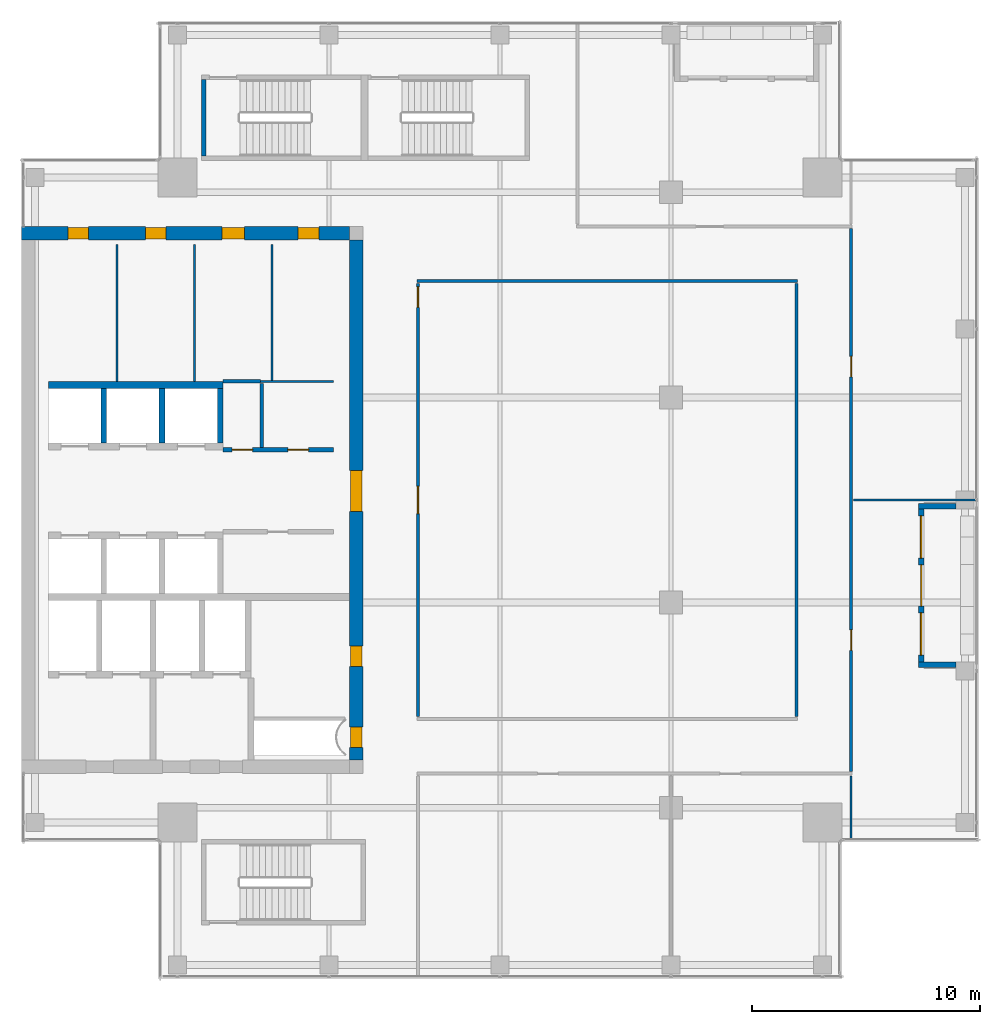
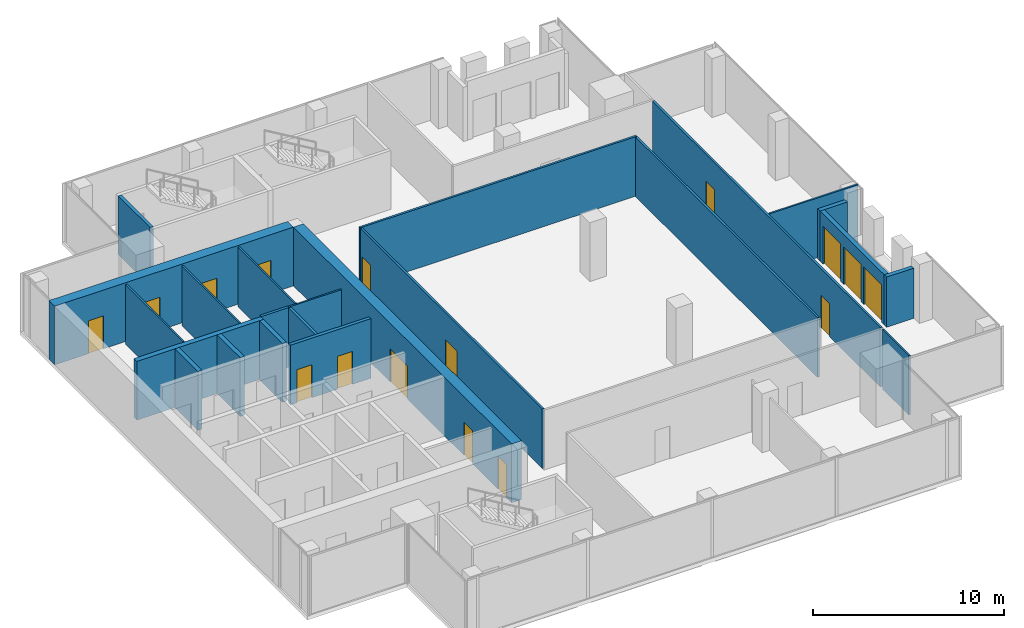
# One storey, part 26 of 29: 23 walls, 14 doors, 2 windows, 16 openings.
"""IFC4 building model written with IfcOpenShell, lengths in metres."""

from ifc_helpers import new_model, si_unit, direction, frame, frame_2d, origin, place, context, subcontext, project, spatial, rectangle, extrude, source, transform, mapped, material, layer, layer_set, type_object, element, fill, save


model = new_model("IFC4")

# Units and contexts
model_context = context("Model", 3, precision=1e-05, world=origin(), true_north=direction((0.0, 1.0)))
body_context = subcontext(model_context, "Body", "Model", "MODEL_VIEW")
ifc_project = project(units=[si_unit("LENGTHUNIT", "METRE"), si_unit("AREAUNIT", "SQUARE_METRE"), si_unit("VOLUMEUNIT", "CUBIC_METRE"), si_unit("PLANEANGLEUNIT", "RADIAN"), si_unit("MASSUNIT", "GRAM", prefix="KILO")], contexts=[model_context])

# Site, building, storey
site_placement = place(None, origin())
site = spatial("IfcSite", under=ifc_project, at=site_placement, CompositionType="ELEMENT")
building_placement = place(site_placement, origin())
building = spatial("IfcBuilding", under=site, at=building_placement, Name="Khomas Fold Tower", CompositionType="ELEMENT")
storey_placement = place(building_placement, frame((0.0, 0.0, 322.199951171875)))
storey = spatial("IfcBuildingStorey", under=building, at=storey_placement, Name="L73", CompositionType="ELEMENT", Elevation=322.199951171875)

# Walls
ifc_material_1 = material(Name="Concrete C50/60", Category="concrete")
ifc_layer_1 = layer(ifc_material_1, 0.199951171875)
ifc_layer_set_1 = layer_set([ifc_layer_1], Name="Concrete C50/60")
wall_type_1 = type_object("IfcWallType", Name="Stair wall 200", PredefinedType="SHEAR", material=ifc_layer_set_1)
shared_shape_1 = source(origin(), body_context, "Body", "SweptSolid", [
    extrude(rectangle(XDim=3.349853515625, YDim=0.199951171875, at=frame_2d((1.6748046875, 0.0))), origin(), (0.0, 0.0, 1.0), 3.75),
])
wall_1_placement = place(storey_placement, frame((14.0, 42.10009765625, 0.0), z_axis=(0.0, 0.0, 1.0), x_axis=(0.0, 1.0, 0.0)))
element("IfcWall", 1, at=wall_1_placement, inside=storey, type_object=wall_type_1, Name="Stair wall SW-ST1-W", PredefinedType="SHEAR", context=body_context, shape_type="MappedRepresentation", body=[
    mapped(shared_shape_1, transform((0.0, 0.0, 0.0))),
])
ifc_material_2 = material(Name="Concrete C50/60", Category="concrete")
ifc_layer_2 = layer(ifc_material_2, 0.25)
ifc_layer_set_2 = layer_set([ifc_layer_2], Name="Concrete C50/60")
wall_type_2 = type_object("IfcWallType", Name="Shaft wall 250", PredefinedType="STANDARD", material=ifc_layer_set_2)
shared_shape_2 = source(origin(), body_context, "Body", "SweptSolid", [
    extrude(rectangle(XDim=2.39990234375, YDim=0.25, at=frame_2d((1.199951171875, 0.0))), origin(), (0.0, 0.0, 1.0), 3.75),
])
for number, where, z_axis, x_axis, name in (
    (2, (9.625, 29.5, 0.0), (0.0, 0.0, 1.0), (0.0, 1.0, 0.0), "Core wall SW-HRN-P1"),
    (3, (12.175048828125, 29.5, 0.0), (0.0, 0.0, 1.0), (0.0, 1.0, 0.0), "Core wall SW-HRN-P2"),
    (4, (14.72509765625, 29.5, 0.0), (0.0, 0.0, 1.0), (0.0, 1.0, 0.0), "Core wall SW-HRN-PE"),
):
    element("IfcWall", number, at=place(storey_placement, frame(where, z_axis=z_axis, x_axis=x_axis)), inside=storey, type_object=wall_type_2, Name=name, PredefinedType="STANDARD", context=body_context, shape_type="MappedRepresentation", body=[
        mapped(shared_shape_2, transform((0.0, 0.0, 0.0))),
    ])

# Wall, openings, doors
ifc_material_3 = material(Name="Concrete C50/60", Category="concrete")
ifc_layer_3 = layer(ifc_material_3, 0.60009765625)
ifc_layer_set_3 = layer_set([ifc_layer_3], Name="Concrete C50/60")
wall_type_3 = type_object("IfcWallType", Name="Core wall 600", PredefinedType="SHEAR", material=ifc_layer_set_3)
shared_shape_3 = source(origin(), body_context, "Body", "SweptSolid", [
    extrude(rectangle(XDim=14.39990234375, YDim=0.60009765625, at=frame_2d((7.199951171875, 0.0))), origin(), (0.0, 0.0, 1.0), 3.75),
])
wall_2_placement = place(storey_placement, frame((6.0, 38.699951171875, 0.0), z_axis=(0.0, 0.0, 1.0), x_axis=(1.0, 0.0, 0.0)))
wall_2 = element("IfcWall", 5, at=wall_2_placement, inside=storey, type_object=wall_type_3, Name="Core wall CW-U-N-L63", PredefinedType="SHEAR", context=body_context, shape_type="MappedRepresentation", body=[
    mapped(shared_shape_3, transform((0.0, 0.0, 0.0))),
])
shared_shape_4 = source(origin(), body_context, "Body", "SweptSolid", [
    extrude(rectangle(XDim=0.89990234375, YDim=2.10009765625, at=frame_2d((0.449951171875, 1.050048828125))), frame((0.0, 0.31005859375, 0.0), z_axis=(0.0, -1.0, 0.0), x_axis=(1.0, 0.0, 0.0)), (0.0, 0.0, 1.0), 0.6201171875),
])
opening_1_placement = place(wall_2_placement, frame((2.050048828125, 0.0, 0.0)))
opening_1 = element("IfcOpeningElement", 6, at=opening_1_placement, cuts=wall_2, Name="Opening 0004", PredefinedType="OPENING", context=body_context, shape_type="MappedRepresentation", body=[
    mapped(shared_shape_4, transform((0.0, 0.0, 0.0))),
])
opening_2_placement = place(wall_2_placement, frame((5.449951171875, 0.0, 0.0)))
opening_2 = element("IfcOpeningElement", 7, at=opening_2_placement, cuts=wall_2, Name="Opening 0004", PredefinedType="OPENING", context=body_context, shape_type="MappedRepresentation", body=[
    mapped(shared_shape_4, transform((0.0, 0.0, 0.0))),
])
shared_shape_5 = source(origin(), body_context, "Body", "SweptSolid", [
    extrude(rectangle(XDim=1.0, YDim=2.10009765625, at=frame_2d((0.5, 1.050048828125))), frame((0.0, 0.31005859375, 0.0), z_axis=(0.0, -1.0, 0.0), x_axis=(1.0, 0.0, 0.0)), (0.0, 0.0, 1.0), 0.6201171875),
])
opening_3_placement = place(wall_2_placement, frame((8.800048828125, 0.0, 0.0)))
opening_3 = element("IfcOpeningElement", 8, at=opening_3_placement, cuts=wall_2, Name="Opening 0006", PredefinedType="OPENING", context=body_context, shape_type="MappedRepresentation", body=[
    mapped(shared_shape_5, transform((0.0, 0.0, 0.0))),
])
opening_4_placement = place(wall_2_placement, frame((12.14990234375, 0.0, 0.0)))
opening_4 = element("IfcOpeningElement", 9, at=opening_4_placement, cuts=wall_2, Name="Opening 0008", PredefinedType="OPENING", context=body_context, shape_type="MappedRepresentation", body=[
    mapped(shared_shape_4, transform((0.0, 0.0, 0.0))),
])
ifc_material_4 = material(Name="Timber door leaf", Category="wood")
door_type_1 = type_object("IfcDoorType", Name="WC door 900x2100 right-hand", OperationType="SINGLE_SWING_RIGHT", PredefinedType="DOOR", material=ifc_material_4)
shared_shape_6 = source(origin(), body_context, "Body", "SweptSolid", [
    extrude(rectangle(XDim=0.89990234375, YDim=2.10009765625, at=frame_2d((0.449951171875, 1.050048828125))), frame((0.0, 0.25, 0.0), z_axis=(0.0, -1.0, 0.0), x_axis=(1.0, 0.0, 0.0)), (0.0, 0.0, 1.0), 0.5),
])
door_1_placement = place(opening_1_placement, origin())
door_1 = element("IfcDoor", 10, at=door_1_placement, inside=storey, type_object=door_type_1, Name="WC door", OperationType="SINGLE_SWING_RIGHT", OverallHeight=2.10009765625, OverallWidth=0.89990234375, PredefinedType="DOOR", context=body_context, shape_type="MappedRepresentation", body=[
    mapped(shared_shape_6, transform((0.0, 0.0, 0.0))),
])
fill(opening_1, door_1)
door_2_placement = place(opening_2_placement, origin())
door_2 = element("IfcDoor", 11, at=door_2_placement, inside=storey, type_object=door_type_1, Name="WC door", OperationType="SINGLE_SWING_RIGHT", OverallHeight=2.10009765625, OverallWidth=0.89990234375, PredefinedType="DOOR", context=body_context, shape_type="MappedRepresentation", body=[
    mapped(shared_shape_6, transform((0.0, 0.0, 0.0))),
])
fill(opening_2, door_2)
ifc_material_5 = material(Name="Timber door leaf", Category="wood")
door_type_2 = type_object("IfcDoorType", Name="Door 900x2100 right-hand", OperationType="SINGLE_SWING_RIGHT", PredefinedType="DOOR", material=ifc_material_5)
door_3_placement = place(opening_4_placement, origin())
door_3 = element("IfcDoor", 12, at=door_3_placement, inside=storey, type_object=door_type_2, Name="Door", OperationType="SINGLE_SWING_RIGHT", OverallHeight=2.10009765625, OverallWidth=0.89990234375, PredefinedType="DOOR", context=body_context, shape_type="MappedRepresentation", body=[
    mapped(shared_shape_6, transform((0.0, 0.0, 0.0))),
])
fill(opening_4, door_3)
ifc_material_6 = material(Name="Timber door leaf", Category="wood")
door_type_3 = type_object("IfcDoorType", Name="WC door 1000x2100 right-hand", OperationType="SINGLE_SWING_RIGHT", PredefinedType="DOOR", material=ifc_material_6)
shared_shape_7 = source(origin(), body_context, "Body", "SweptSolid", [
    extrude(rectangle(XDim=1.0, YDim=2.10009765625, at=frame_2d((0.5, 1.050048828125))), frame((0.0, 0.25, 0.0), z_axis=(0.0, -1.0, 0.0), x_axis=(1.0, 0.0, 0.0)), (0.0, 0.0, 1.0), 0.5),
])
door_4_placement = place(opening_3_placement, origin())
door_4 = element("IfcDoor", 13, at=door_4_placement, inside=storey, type_object=door_type_3, Name="WC door", OperationType="SINGLE_SWING_RIGHT", OverallHeight=2.10009765625, OverallWidth=1.0, PredefinedType="DOOR", context=body_context, shape_type="MappedRepresentation", body=[
    mapped(shared_shape_7, transform((0.0, 0.0, 0.0))),
])
fill(opening_3, door_4)

shared_shape_8 = source(origin(), body_context, "Body", "SweptSolid", [
    extrude(rectangle(XDim=22.7998046875, YDim=0.60009765625, at=frame_2d((11.39990234375, 0.0))), origin(), (0.0, 0.0, 1.0), 3.75),
])
wall_3_placement = place(storey_placement, frame((20.699951171875, 15.60009765625, 0.0), z_axis=(0.0, 0.0, 1.0), x_axis=(0.0, 1.0, 0.0)))
wall_3 = element("IfcWall", 14, at=wall_3_placement, inside=storey, type_object=wall_type_3, Name="Core wall CW-U-E-L63", PredefinedType="SHEAR", context=body_context, shape_type="MappedRepresentation", body=[
    mapped(shared_shape_8, transform((0.0, 0.0, 0.0))),
])
shared_shape_9 = source(origin(), body_context, "Body", "SweptSolid", [
    extrude(rectangle(XDim=1.800048828125, YDim=2.10009765625, at=frame_2d((0.89990234375, 1.050048828125))), frame((0.0, 0.31005859375, 0.0), z_axis=(0.0, -1.0, 0.0), x_axis=(1.0, 0.0, 0.0)), (0.0, 0.0, 1.0), 0.6201171875),
])
opening_5_placement = place(wall_3_placement, frame((10.89990234375, 0.0, 0.0)))
opening_5 = element("IfcOpeningElement", 15, at=opening_5_placement, cuts=wall_3, Name="Opening 0015", PredefinedType="OPENING", context=body_context, shape_type="MappedRepresentation", body=[
    mapped(shared_shape_9, transform((0.0, 0.0, 0.0))),
])
opening_6_placement = place(wall_3_placement, frame((0.550048828125, 0.0, 0.0)))
opening_6 = element("IfcOpeningElement", 16, at=opening_6_placement, cuts=wall_3, Name="Opening 0003", PredefinedType="OPENING", context=body_context, shape_type="MappedRepresentation", body=[
    mapped(shared_shape_4, transform((0.0, 0.0, 0.0))),
])
opening_7_placement = place(wall_3_placement, frame((4.10009765625, 0.0, 0.0)))
opening_7 = element("IfcOpeningElement", 17, at=opening_7_placement, cuts=wall_3, Name="Opening 0008", PredefinedType="OPENING", context=body_context, shape_type="MappedRepresentation", body=[
    mapped(shared_shape_4, transform((0.0, 0.0, 0.0))),
])
ifc_material_7 = material(Name="Steel door leaf", Category="steel")
door_type_4 = type_object("IfcDoorType", Name="Lobby door 1800x2100", OperationType="DOUBLE_DOOR_SINGLE_SWING", PredefinedType="DOOR", material=ifc_material_7)
shared_shape_10 = source(origin(), body_context, "Body", "SweptSolid", [
    extrude(rectangle(XDim=1.800048828125, YDim=2.10009765625, at=frame_2d((0.89990234375, 1.050048828125))), frame((0.0, 0.25, 0.0), z_axis=(0.0, -1.0, 0.0), x_axis=(1.0, 0.0, 0.0)), (0.0, 0.0, 1.0), 0.5),
])
door_5_placement = place(opening_5_placement, origin())
door_5 = element("IfcDoor", 18, at=door_5_placement, inside=storey, type_object=door_type_4, Name="Lobby door", OperationType="DOUBLE_DOOR_SINGLE_SWING", OverallHeight=2.10009765625, OverallWidth=1.800048828125, PredefinedType="DOOR", context=body_context, shape_type="MappedRepresentation", body=[
    mapped(shared_shape_10, transform((0.0, 0.0, 0.0))),
])
fill(opening_5, door_5)
ifc_material_8 = material(Name="Steel door leaf", Category="steel")
door_type_5 = type_object("IfcDoorType", Name="Plant room door 900x2100 right-hand", OperationType="SINGLE_SWING_RIGHT", PredefinedType="DOOR", material=ifc_material_8)
door_6_placement = place(opening_6_placement, origin())
door_6 = element("IfcDoor", 19, at=door_6_placement, inside=storey, type_object=door_type_5, Name="Plant room door", OperationType="SINGLE_SWING_RIGHT", OverallHeight=2.10009765625, OverallWidth=0.89990234375, PredefinedType="DOOR", context=body_context, shape_type="MappedRepresentation", body=[
    mapped(shared_shape_6, transform((0.0, 0.0, 0.0))),
])
fill(opening_6, door_6)
door_7_placement = place(opening_7_placement, origin())
door_7 = element("IfcDoor", 20, at=door_7_placement, inside=storey, type_object=door_type_2, Name="Door", OperationType="SINGLE_SWING_RIGHT", OverallHeight=2.10009765625, OverallWidth=0.89990234375, PredefinedType="DOOR", context=body_context, shape_type="MappedRepresentation", body=[
    mapped(shared_shape_6, transform((0.0, 0.0, 0.0))),
])
fill(opening_7, door_7)

# Wall
ifc_material_9 = material(Name="Concrete C50/60", Category="concrete")
ifc_layer_4 = layer(ifc_material_9, 0.300048828125)
ifc_layer_set_4 = layer_set([ifc_layer_4], Name="Concrete C50/60")
wall_type_4 = type_object("IfcWallType", Name="Shaft wall 300", PredefinedType="STANDARD", material=ifc_layer_set_4)
shared_shape_11 = source(origin(), body_context, "Body", "SweptSolid", [
    extrude(rectangle(XDim=7.650146484375, YDim=0.300048828125, at=frame_2d((3.8251953125, 0.0))), origin(), (0.0, 0.0, 1.0), 3.75),
])
wall_4_placement = place(storey_placement, frame((7.199951171875, 32.050048828125, 0.0), z_axis=(0.0, 0.0, 1.0), x_axis=(1.0, 0.0, 0.0)))
element("IfcWall", 21, at=wall_4_placement, inside=storey, type_object=wall_type_4, Name="Core wall SW-HRN-B", PredefinedType="STANDARD", context=body_context, shape_type="MappedRepresentation", body=[
    mapped(shared_shape_11, transform((0.0, 0.0, 0.0))),
])

# Wall, openings, door, windows
ifc_material_10 = material(Name="Natural stone", Category="masonry")
ifc_layer_5 = layer(ifc_material_10, 0.0400390625)
ifc_material_11 = material(Name="Mineral wool insulation", Category="insulation")
ifc_layer_6 = layer(ifc_material_11, 0.10009765625)
ifc_material_12 = material(Name="Masonry", Category="masonry")
ifc_layer_7 = layer(ifc_material_12, 0.110107421875)
ifc_layer_set_5 = layer_set([ifc_layer_5, ifc_layer_6, ifc_layer_7], Name="Stone-faced insulated masonry")
wall_type_5 = type_object("IfcWallType", Name="BL-Balcony wall", PredefinedType="SOLIDWALL", material=ifc_layer_set_5)
shared_shape_12 = source(origin(), body_context, "Body", "SweptSolid", [
    extrude(rectangle(XDim=6.7001953125, YDim=0.25, at=frame_2d((3.35009765625, 0.0))), origin(), (0.0, 0.0, 1.0), 3.199951171875),
])
wall_5_placement = place(storey_placement, frame((45.47509765625, 19.89990234375, 0.0), z_axis=(0.0, 0.0, 1.0), x_axis=(0.0, 1.0, 0.0)))
wall_5 = element("IfcWall", 22, at=wall_5_placement, inside=storey, type_object=wall_type_5, Name="Balcony wall BAL-L73-E2", PredefinedType="SOLIDWALL", context=body_context, shape_type="MappedRepresentation", body=[
    mapped(shared_shape_12, transform((0.0, 0.0, 0.0))),
])
shared_shape_13 = source(origin(), body_context, "Body", "SweptSolid", [
    extrude(rectangle(XDim=1.85009765625, YDim=2.39990234375, at=frame_2d((0.925048828125, 1.199951171875))), frame((0.0, 0.135009765625, 0.0), z_axis=(0.0, -1.0, 0.0), x_axis=(1.0, 0.0, 0.0)), (0.0, 0.0, 1.0), 0.27001953125),
])
opening_8_placement = place(wall_5_placement, frame((0.300048828125, 0.0, 0.0)))
opening_8 = element("IfcOpeningElement", 23, at=opening_8_placement, cuts=wall_5, Name="Opening BL-W7", PredefinedType="OPENING", context=body_context, shape_type="MappedRepresentation", body=[
    mapped(shared_shape_13, transform((0.0, 0.0, 0.0))),
])
opening_9_placement = place(wall_5_placement, frame((4.550048828125, 0.0, 0.0)))
opening_9 = element("IfcOpeningElement", 24, at=opening_9_placement, cuts=wall_5, Name="Opening BL-W7", PredefinedType="OPENING", context=body_context, shape_type="MappedRepresentation", body=[
    mapped(shared_shape_13, transform((0.0, 0.0, 0.0))),
])
shared_shape_14 = source(origin(), body_context, "Body", "SweptSolid", [
    extrude(rectangle(XDim=1.800048828125, YDim=2.39990234375, at=frame_2d((0.89990234375, 1.199951171875))), frame((0.0, 0.135009765625, 0.0), z_axis=(0.0, -1.0, 0.0), x_axis=(1.0, 0.0, 0.0)), (0.0, 0.0, 1.0), 0.27001953125),
])
opening_10_placement = place(wall_5_placement, frame((2.449951171875, 0.0, 0.0)))
opening_10 = element("IfcOpeningElement", 25, at=opening_10_placement, cuts=wall_5, Name="Opening BD731", PredefinedType="OPENING", context=body_context, shape_type="MappedRepresentation", body=[
    mapped(shared_shape_14, transform((0.0, 0.0, 0.0))),
])
ifc_material_13 = material(Name="Aluminium framed double glazing", Category="aluminium")
door_type_6 = type_object("IfcDoorType", Name="BL-Glazed balcony door 1800 x 2400", OperationType="DOUBLE_DOOR_DOUBLE_SWING", PredefinedType="DOOR", material=ifc_material_13)
shared_shape_15 = source(origin(), body_context, "Body", "SweptSolid", [
    extrude(rectangle(XDim=1.800048828125, YDim=2.39990234375, at=frame_2d((0.89990234375, 1.199951171875))), frame((0.0, 0.02490234375, 0.0), z_axis=(0.0, -1.0, 0.0), x_axis=(1.0, 0.0, 0.0)), (0.0, 0.0, 1.0), 0.050048828125),
])
door_8_placement = place(opening_10_placement, origin())
door_8 = element("IfcDoor", 26, at=door_8_placement, inside=storey, type_object=door_type_6, Name="Balcony door BD731", OperationType="DOUBLE_DOOR_DOUBLE_SWING", OverallHeight=2.39990234375, OverallWidth=1.800048828125, PredefinedType="DOOR", context=body_context, shape_type="MappedRepresentation", body=[
    mapped(shared_shape_15, transform((0.0, 0.0, 0.0))),
])
fill(opening_10, door_8)
ifc_material_14 = material(Name="Aluminium framed double glazing", Category="aluminium")
window_type = type_object("IfcWindowType", Name="BL-Fixed glazing 1850 x 2400", PartitioningType="SINGLE_PANEL", PredefinedType="WINDOW", material=ifc_material_14)
shared_shape_16 = source(origin(), body_context, "Body", "SweptSolid", [
    extrude(rectangle(XDim=1.85009765625, YDim=2.39990234375, at=frame_2d((0.925048828125, 1.199951171875))), frame((0.0, 0.030029296875, 0.0), z_axis=(0.0, -1.0, 0.0), x_axis=(1.0, 0.0, 0.0)), (0.0, 0.0, 1.0), 0.06005859375),
])
window_1_placement = place(opening_8_placement, origin())
window_1 = element("IfcWindow", 27, at=window_1_placement, inside=storey, type_object=window_type, Name="Balcony glazing BAL-L73-E2-1", OverallHeight=2.39990234375, OverallWidth=1.85009765625, PartitioningType="SINGLE_PANEL", PredefinedType="WINDOW", context=body_context, shape_type="MappedRepresentation", body=[
    mapped(shared_shape_16, transform((0.0, 0.0, 0.0))),
])
fill(opening_8, window_1)
window_2_placement = place(opening_9_placement, origin())
window_2 = element("IfcWindow", 28, at=window_2_placement, inside=storey, type_object=window_type, Name="Balcony glazing BAL-L73-E2-2", OverallHeight=2.39990234375, OverallWidth=1.85009765625, PartitioningType="SINGLE_PANEL", PredefinedType="WINDOW", context=body_context, shape_type="MappedRepresentation", body=[
    mapped(shared_shape_16, transform((0.0, 0.0, 0.0))),
])
fill(opening_9, window_2)

# Walls
shared_shape_17 = source(origin(), body_context, "Body", "SweptSolid", [
    extrude(rectangle(XDim=1.64990234375, YDim=0.25, at=frame_2d((0.824951171875, 0.0))), origin(), (0.0, 0.0, 1.0), 3.199951171875),
])
for number, where, z_axis, x_axis, name in (
    (29, (47.0, 19.77490234375, 0.0), (0.0, 0.0, 1.0), (-1.0, 0.0, 0.0), "Balcony return wall BAL-L73-E2-lo"),
    (30, (47.0, 26.72509765625, 0.0), (0.0, 0.0, 1.0), (-1.0, 0.0, 0.0), "Balcony return wall BAL-L73-E2-hi"),
):
    element("IfcWall", number, at=place(storey_placement, frame(where, z_axis=z_axis, x_axis=x_axis)), inside=storey, type_object=wall_type_5, Name=name, PredefinedType="SOLIDWALL", context=body_context, shape_type="MappedRepresentation", body=[
        mapped(shared_shape_17, transform((0.0, 0.0, 0.0))),
    ])
ifc_material_15 = material(Name="Plasterboard partition")
ifc_layer_8 = layer(ifc_material_15, 0.10009765625)
ifc_layer_set_6 = layer_set([ifc_layer_8], Name="Plasterboard partition")
wall_type_6 = type_object("IfcWallType", Name="Partition PW1 100", PredefinedType="PARTITIONING", material=ifc_layer_set_6)
shared_shape_18 = source(origin(), body_context, "Body", "SweptSolid", [
    extrude(rectangle(XDim=6.0, YDim=0.10009765625, at=frame_2d((3.0, 0.0))), origin(), (0.0, 0.0, 1.0), 3.800048828125),
])
for number, where, z_axis, x_axis, name in (
    (31, (10.199951171875, 32.199951171875, 0.0), (0.0, 0.0, 1.0), (0.0, 1.0, 0.0), "Partition"),
    (32, (13.60009765625, 32.199951171875, 0.0), (0.0, 0.0, 1.0), (0.0, 1.0, 0.0), "Partition"),
):
    element("IfcWall", number, at=place(storey_placement, frame(where, z_axis=z_axis, x_axis=x_axis)), inside=storey, type_object=wall_type_6, Name=name, PredefinedType="PARTITIONING", context=body_context, shape_type="MappedRepresentation", body=[
        mapped(shared_shape_18, transform((0.0, 0.0, 0.0))),
    ])

# Wall, openings, doors
ifc_material_16 = material(Name="Plasterboard partition")
ifc_layer_9 = layer(ifc_material_16, 0.125)
ifc_layer_set_7 = layer_set([ifc_layer_9], Name="Plasterboard partition")
wall_type_7 = type_object("IfcWallType", Name="Partition PW2 125", PredefinedType="PARTITIONING", material=ifc_layer_set_7)
shared_shape_19 = source(origin(), body_context, "Body", "SweptSolid", [
    extrude(rectangle(XDim=19.0, YDim=0.125, at=frame_2d((9.5, 0.0))), origin(), (0.0, 0.0, 1.0), 3.800048828125),
])
wall_6_placement = place(storey_placement, frame((23.39990234375, 17.5, 0.0), z_axis=(0.0, 0.0, 1.0), x_axis=(0.0, 1.0, 0.0)))
wall_6 = element("IfcWall", 33, at=wall_6_placement, inside=storey, type_object=wall_type_7, Name="Partition", PredefinedType="PARTITIONING", context=body_context, shape_type="MappedRepresentation", body=[
    mapped(shared_shape_19, transform((0.0, 0.0, 0.0))),
])
shared_shape_20 = source(origin(), body_context, "Body", "SweptSolid", [
    extrude(rectangle(XDim=1.199951171875, YDim=2.10009765625, at=frame_2d((0.60009765625, 1.050048828125))), frame((0.0, 0.072509765625, 0.0), z_axis=(0.0, -1.0, 0.0), x_axis=(1.0, 0.0, 0.0)), (0.0, 0.0, 1.0), 0.14501953125),
])
opening_11_placement = place(wall_6_placement, frame((8.89990234375, 0.0, 0.0)))
opening_11 = element("IfcOpeningElement", 34, at=opening_11_placement, cuts=wall_6, Name="Opening 0013", PredefinedType="OPENING", context=body_context, shape_type="MappedRepresentation", body=[
    mapped(shared_shape_20, transform((0.0, 0.0, 0.0))),
])
shared_shape_21 = source(origin(), body_context, "Body", "SweptSolid", [
    extrude(rectangle(XDim=0.89990234375, YDim=2.10009765625, at=frame_2d((0.449951171875, 1.050048828125))), frame((0.0, 0.072509765625, 0.0), z_axis=(0.0, -1.0, 0.0), x_axis=(1.0, 0.0, 0.0)), (0.0, 0.0, 1.0), 0.14501953125),
])
opening_12_placement = place(wall_6_placement, frame((17.949951171875, 0.0, 0.0)))
opening_12 = element("IfcOpeningElement", 35, at=opening_12_placement, cuts=wall_6, Name="Opening 0008", PredefinedType="OPENING", context=body_context, shape_type="MappedRepresentation", body=[
    mapped(shared_shape_21, transform((0.0, 0.0, 0.0))),
])
shared_shape_22 = source(origin(), body_context, "Body", "SweptSolid", [
    extrude(rectangle(XDim=0.89990234375, YDim=2.10009765625, at=frame_2d((0.449951171875, 1.050048828125))), frame((0.0, 0.02490234375, 0.0), z_axis=(0.0, -1.0, 0.0), x_axis=(1.0, 0.0, 0.0)), (0.0, 0.0, 1.0), 0.050048828125),
])
door_9_placement = place(opening_12_placement, origin())
door_9 = element("IfcDoor", 36, at=door_9_placement, inside=storey, type_object=door_type_2, Name="Door", OperationType="SINGLE_SWING_RIGHT", OverallHeight=2.10009765625, OverallWidth=0.89990234375, PredefinedType="DOOR", context=body_context, shape_type="MappedRepresentation", body=[
    mapped(shared_shape_22, transform((0.0, 0.0, 0.0))),
])
fill(opening_12, door_9)
ifc_material_17 = material(Name="Timber door leaf", Category="wood")
door_type_7 = type_object("IfcDoorType", Name="Door 1200x2100 left-hand", OperationType="SINGLE_SWING_LEFT", PredefinedType="DOOR", material=ifc_material_17)
shared_shape_23 = source(origin(), body_context, "Body", "SweptSolid", [
    extrude(rectangle(XDim=1.199951171875, YDim=2.10009765625, at=frame_2d((0.60009765625, 1.050048828125))), frame((0.0, 0.02490234375, 0.0), z_axis=(0.0, -1.0, 0.0), x_axis=(1.0, 0.0, 0.0)), (0.0, 0.0, 1.0), 0.050048828125),
])
door_10_placement = place(opening_11_placement, origin())
door_10 = element("IfcDoor", 37, at=door_10_placement, inside=storey, type_object=door_type_7, Name="Door", OperationType="SINGLE_SWING_LEFT", OverallHeight=2.10009765625, OverallWidth=1.199951171875, PredefinedType="DOOR", context=body_context, shape_type="MappedRepresentation", body=[
    mapped(shared_shape_23, transform((0.0, 0.0, 0.0))),
])
fill(opening_11, door_10)

# Wall
wall_7_placement = place(storey_placement, frame((40.0, 17.5, 0.0), z_axis=(0.0, 0.0, 1.0), x_axis=(0.0, 1.0, 0.0)))
element("IfcWall", 38, at=wall_7_placement, inside=storey, type_object=wall_type_7, Name="Partition", PredefinedType="PARTITIONING", context=body_context, shape_type="MappedRepresentation", body=[
    mapped(shared_shape_19, transform((0.0, 0.0, 0.0))),
])

# Wall, openings, doors
ifc_material_18 = material(Name="Concrete C30/37", Category="concrete")
ifc_layer_10 = layer(ifc_material_18, 0.199951171875)
ifc_layer_set_8 = layer_set([ifc_layer_10], Name="Concrete C30/37")
wall_type_8 = type_object("IfcWallType", Name="Lobby wall PW4 200", PredefinedType="PARTITIONING", material=ifc_layer_set_8)
shared_shape_24 = source(origin(), body_context, "Body", "SweptSolid", [
    extrude(rectangle(XDim=4.849853515625, YDim=0.199951171875, at=frame_2d((2.4248046875, 0.0))), origin(), (0.0, 0.0, 1.0), 3.800048828125),
])
wall_8_placement = place(storey_placement, frame((14.85009765625, 29.199951171875, 0.0), z_axis=(0.0, 0.0, 1.0), x_axis=(1.0, 0.0, 0.0)))
wall_8 = element("IfcWall", 39, at=wall_8_placement, inside=storey, type_object=wall_type_8, Name="Lobby wall", PredefinedType="PARTITIONING", context=body_context, shape_type="MappedRepresentation", body=[
    mapped(shared_shape_24, transform((0.0, 0.0, 0.0))),
])
shared_shape_25 = source(origin(), body_context, "Body", "SweptSolid", [
    extrude(rectangle(XDim=0.89990234375, YDim=2.10009765625, at=frame_2d((0.449951171875, 1.050048828125))), frame((0.0, 0.10986328125, 0.0), z_axis=(0.0, -1.0, 0.0), x_axis=(1.0, 0.0, 0.0)), (0.0, 0.0, 1.0), 0.219970703125),
])
opening_13_placement = place(wall_8_placement, frame((0.39990234375, 0.0, 0.0)))
opening_13 = element("IfcOpeningElement", 40, at=opening_13_placement, cuts=wall_8, Name="Opening 0003", PredefinedType="OPENING", context=body_context, shape_type="MappedRepresentation", body=[
    mapped(shared_shape_25, transform((0.0, 0.0, 0.0))),
])
opening_14_placement = place(wall_8_placement, frame((2.85009765625, 0.0, 0.0)))
opening_14 = element("IfcOpeningElement", 41, at=opening_14_placement, cuts=wall_8, Name="Opening 0021", PredefinedType="OPENING", context=body_context, shape_type="MappedRepresentation", body=[
    mapped(shared_shape_25, transform((0.0, 0.0, 0.0))),
])
door_11_placement = place(opening_13_placement, origin())
door_11 = element("IfcDoor", 42, at=door_11_placement, inside=storey, type_object=door_type_5, Name="Plant room door", OperationType="SINGLE_SWING_RIGHT", OverallHeight=2.10009765625, OverallWidth=0.89990234375, PredefinedType="DOOR", context=body_context, shape_type="MappedRepresentation", body=[
    mapped(shared_shape_22, transform((0.0, 0.0, 0.0))),
])
fill(opening_13, door_11)
ifc_material_19 = material(Name="Steel door leaf", Category="steel")
door_type_8 = type_object("IfcDoorType", Name="Lobby door 900x2100 left-hand", OperationType="SINGLE_SWING_LEFT", PredefinedType="DOOR", material=ifc_material_19)
door_12_placement = place(opening_14_placement, origin())
door_12 = element("IfcDoor", 43, at=door_12_placement, inside=storey, type_object=door_type_8, Name="Lobby door", OperationType="SINGLE_SWING_LEFT", OverallHeight=2.10009765625, OverallWidth=0.89990234375, PredefinedType="DOOR", context=body_context, shape_type="MappedRepresentation", body=[
    mapped(shared_shape_22, transform((0.0, 0.0, 0.0))),
])
fill(opening_14, door_12)

# Walls
ifc_material_20 = material(Name="Plasterboard fire partition")
ifc_layer_11 = layer(ifc_material_20, 0.14990234375)
ifc_layer_set_9 = layer_set([ifc_layer_11], Name="Plasterboard fire partition")
wall_type_9 = type_object("IfcWallType", Name="Plant room wall PW3 150", PredefinedType="PARTITIONING", material=ifc_layer_set_9)
shared_shape_26 = source(origin(), body_context, "Body", "SweptSolid", [
    extrude(rectangle(XDim=2.800048828125, YDim=0.14990234375, at=frame_2d((1.39990234375, 0.0))), origin(), (0.0, 0.0, 1.0), 3.800048828125),
])
wall_9_placement = place(storey_placement, frame((16.550048828125, 29.300048828125, 0.0), z_axis=(0.0, 0.0, 1.0), x_axis=(0.0, 1.0, 0.0)))
element("IfcWall", 44, at=wall_9_placement, inside=storey, type_object=wall_type_9, Name="Plant room wall", PredefinedType="PARTITIONING", context=body_context, shape_type="MappedRepresentation", body=[
    mapped(shared_shape_26, transform((0.0, 0.0, 0.0))),
])
shared_shape_27 = source(origin(), body_context, "Body", "SweptSolid", [
    extrude(rectangle(XDim=2.75, YDim=0.10009765625, at=frame_2d((1.375, 0.0))), origin(), (0.0, 0.0, 1.0), 3.800048828125),
])
wall_10_placement = place(storey_placement, frame((42.39990234375, 12.14990234375, 0.0), z_axis=(0.0, 0.0, 1.0), x_axis=(0.0, 1.0, 0.0)))
element("IfcWall", 45, at=wall_10_placement, inside=storey, type_object=wall_type_6, Name="Partition", PredefinedType="PARTITIONING", context=body_context, shape_type="MappedRepresentation", body=[
    mapped(shared_shape_27, transform((0.0, 0.0, 0.0))),
])

# Wall, openings, doors
shared_shape_28 = source(origin(), body_context, "Body", "SweptSolid", [
    extrude(rectangle(XDim=23.7998046875, YDim=0.125, at=frame_2d((11.89990234375, 0.0))), origin(), (0.0, 0.0, 1.0), 3.800048828125),
])
wall_11_placement = place(storey_placement, frame((42.39990234375, 15.10009765625, 0.0), z_axis=(0.0, 0.0, 1.0), x_axis=(0.0, 1.0, 0.0)))
wall_11 = element("IfcWall", 46, at=wall_11_placement, inside=storey, type_object=wall_type_7, Name="Partition", PredefinedType="PARTITIONING", context=body_context, shape_type="MappedRepresentation", body=[
    mapped(shared_shape_28, transform((0.0, 0.0, 0.0))),
])
opening_15_placement = place(wall_11_placement, frame((5.300048828125, 0.0, 0.0)))
opening_15 = element("IfcOpeningElement", 47, at=opening_15_placement, cuts=wall_11, Name="Opening 0007", PredefinedType="OPENING", context=body_context, shape_type="MappedRepresentation", body=[
    mapped(shared_shape_21, transform((0.0, 0.0, 0.0))),
])
opening_16_placement = place(wall_11_placement, frame((17.300048828125, 0.0, 0.0)))
opening_16 = element("IfcOpeningElement", 48, at=opening_16_placement, cuts=wall_11, Name="Opening 0007", PredefinedType="OPENING", context=body_context, shape_type="MappedRepresentation", body=[
    mapped(shared_shape_21, transform((0.0, 0.0, 0.0))),
])
ifc_material_21 = material(Name="Timber door leaf", Category="wood")
door_type_9 = type_object("IfcDoorType", Name="Door 900x2100 left-hand", OperationType="SINGLE_SWING_LEFT", PredefinedType="DOOR", material=ifc_material_21)
door_13_placement = place(opening_15_placement, origin())
door_13 = element("IfcDoor", 49, at=door_13_placement, inside=storey, type_object=door_type_9, Name="Door", OperationType="SINGLE_SWING_LEFT", OverallHeight=2.10009765625, OverallWidth=0.89990234375, PredefinedType="DOOR", context=body_context, shape_type="MappedRepresentation", body=[
    mapped(shared_shape_22, transform((0.0, 0.0, 0.0))),
])
fill(opening_15, door_13)
door_14_placement = place(opening_16_placement, origin())
door_14 = element("IfcDoor", 50, at=door_14_placement, inside=storey, type_object=door_type_9, Name="Door", OperationType="SINGLE_SWING_LEFT", OverallHeight=2.10009765625, OverallWidth=0.89990234375, PredefinedType="DOOR", context=body_context, shape_type="MappedRepresentation", body=[
    mapped(shared_shape_22, transform((0.0, 0.0, 0.0))),
])
fill(opening_16, door_14)

# Walls
shared_shape_29 = source(origin(), body_context, "Body", "SweptSolid", [
    extrude(rectangle(XDim=16.699951171875, YDim=0.125, at=frame_2d((8.35009765625, 0.0))), origin(), (0.0, 0.0, 1.0), 3.800048828125),
])
wall_12_placement = place(storey_placement, frame((23.35009765625, 36.60009765625, 0.0), z_axis=(0.0, 0.0, 1.0), x_axis=(1.0, 0.0, 0.0)))
element("IfcWall", 51, at=wall_12_placement, inside=storey, type_object=wall_type_7, Name="Partition", PredefinedType="PARTITIONING", context=body_context, shape_type="MappedRepresentation", body=[
    mapped(shared_shape_29, transform((0.0, 0.0, 0.0))),
])
shared_shape_30 = source(origin(), body_context, "Body", "SweptSolid", [
    extrude(rectangle(XDim=5.35009765625, YDim=0.10009765625, at=frame_2d((2.675048828125, 0.0))), origin(), (0.0, 0.0, 1.0), 3.800048828125),
])
wall_13_placement = place(storey_placement, frame((42.5, 27.0, 0.0), z_axis=(0.0, 0.0, 1.0), x_axis=(1.0, 0.0, 0.0)))
element("IfcWall", 52, at=wall_13_placement, inside=storey, type_object=wall_type_6, Name="Partition", PredefinedType="PARTITIONING", context=body_context, shape_type="MappedRepresentation", body=[
    mapped(shared_shape_30, transform((0.0, 0.0, 0.0))),
])
shared_shape_31 = source(origin(), body_context, "Body", "SweptSolid", [
    extrude(rectangle(XDim=1.64990234375, YDim=0.14990234375, at=frame_2d((0.824951171875, 0.0))), origin(), (0.0, 0.0, 1.0), 3.800048828125),
])
wall_14_placement = place(storey_placement, frame((14.85009765625, 32.199951171875, 0.0), z_axis=(0.0, 0.0, 1.0), x_axis=(1.0, 0.0, 0.0)))
element("IfcWall", 53, at=wall_14_placement, inside=storey, type_object=wall_type_9, Name="Plant room wall", PredefinedType="PARTITIONING", context=body_context, shape_type="MappedRepresentation", body=[
    mapped(shared_shape_31, transform((0.0, 0.0, 0.0))),
])
shared_shape_32 = source(origin(), body_context, "Body", "SweptSolid", [
    extrude(rectangle(XDim=3.199951171875, YDim=0.10009765625, at=frame_2d((1.60009765625, 0.0))), origin(), (0.0, 0.0, 1.0), 3.800048828125),
])
wall_15_placement = place(storey_placement, frame((16.5, 32.199951171875, 0.0), z_axis=(0.0, 0.0, 1.0), x_axis=(1.0, 0.0, 0.0)))
element("IfcWall", 54, at=wall_15_placement, inside=storey, type_object=wall_type_6, Name="Partition", PredefinedType="PARTITIONING", context=body_context, shape_type="MappedRepresentation", body=[
    mapped(shared_shape_32, transform((0.0, 0.0, 0.0))),
])
shared_shape_33 = source(origin(), body_context, "Body", "SweptSolid", [
    extrude(rectangle(XDim=5.949951171875, YDim=0.10009765625, at=frame_2d((2.97509765625, 0.0))), origin(), (0.0, 0.0, 1.0), 3.800048828125),
])
wall_16_placement = place(storey_placement, frame((17.0, 32.25, 0.0), z_axis=(0.0, 0.0, 1.0), x_axis=(0.0, 1.0, 0.0)))
element("IfcWall", 55, at=wall_16_placement, inside=storey, type_object=wall_type_6, Name="Partition", PredefinedType="PARTITIONING", context=body_context, shape_type="MappedRepresentation", body=[
    mapped(shared_shape_33, transform((0.0, 0.0, 0.0))),
])

save(model, "model.ifc")
